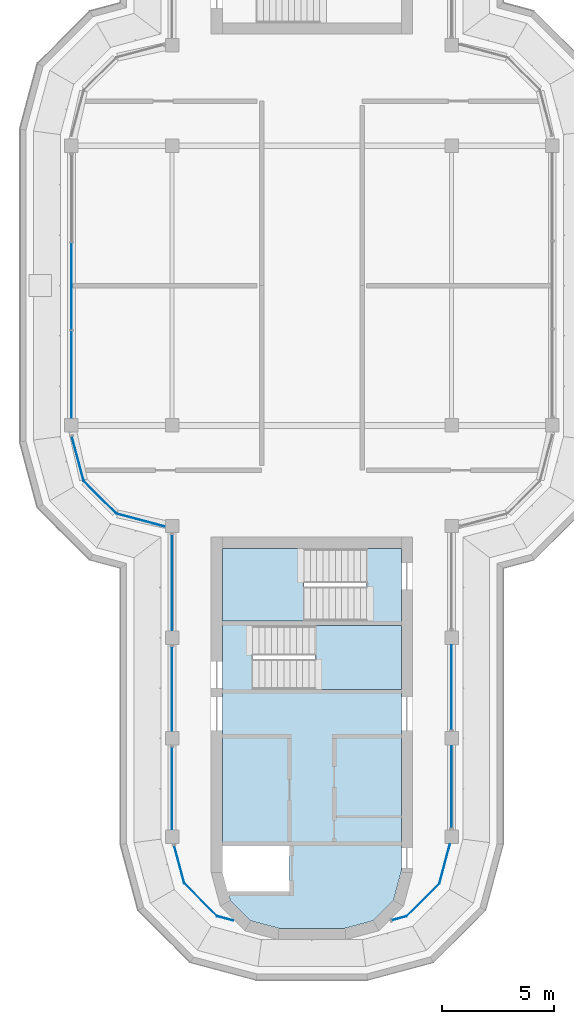
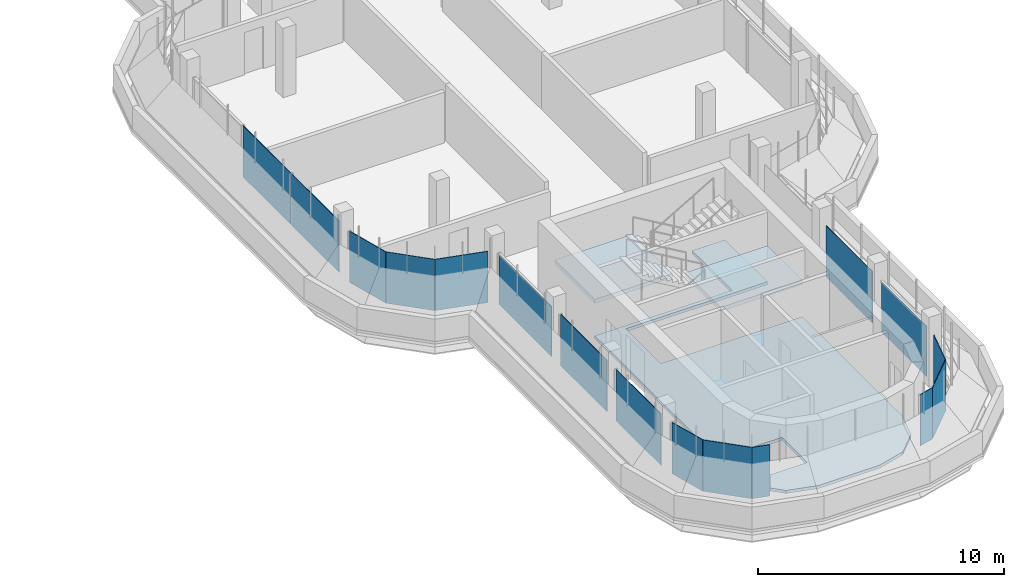
# One storey, part 5 of 13: 16 plates, 3 slabs, 14 elements without a shape of their own.
"""IFC4 building model written with IfcOpenShell, lengths in metres."""

from ifc_helpers import new_model, si_unit, direction, frame, origin, place, context, subcontext, project, spatial, polyline, outline, extrude, source, transform, mapped, material, layer, layer_set, type_object, element, aggregate, save


model = new_model("IFC4")

# Units and contexts
model_context = context("Model", 3, precision=1e-05, world=origin(), true_north=direction((0.0, 1.0)))
body_context = subcontext(model_context, "Body", "Model", "MODEL_VIEW")
ifc_project = project(units=[si_unit("LENGTHUNIT", "METRE"), si_unit("AREAUNIT", "SQUARE_METRE"), si_unit("VOLUMEUNIT", "CUBIC_METRE"), si_unit("PLANEANGLEUNIT", "RADIAN"), si_unit("MASSUNIT", "GRAM", prefix="KILO")], contexts=[model_context])

# Site, building, storey
site_placement = place(None, origin())
site = spatial("IfcSite", under=ifc_project, at=site_placement, CompositionType="ELEMENT")
building_placement = place(site_placement, origin())
building = spatial("IfcBuilding", under=site, at=building_placement, Name="Zarbagh Exchange Tower", CompositionType="ELEMENT")
storey_placement = place(building_placement, frame((0.0, 0.0, 302.39990234375)))
storey = spatial("IfcBuildingStorey", under=building, at=storey_placement, Name="L74", CompositionType="ELEMENT", Elevation=302.39990234375)

# Slab
ifc_material_1 = material(Name="Concrete C40/50", Category="concrete")
ifc_layer_1 = layer(ifc_material_1, 0.14990234375)
ifc_layer_set_1 = layer_set([ifc_layer_1], Name="Core floor slab 150 C40/50")
slab_type_1 = type_object("IfcSlabType", Name="Core floor slab 150 C40/50", PredefinedType="FLOOR", material=ifc_layer_set_1)
slab_1_placement = place(storey_placement, frame((0.0, 0.0, -0.14990234375)))
element("IfcSlab", 1, at=slab_1_placement, inside=storey, type_object=slab_type_1, Name="S17 core S", PredefinedType="FLOOR", context=body_context, shape_type="SweptSolid", body=[
    extrude(outline(polyline([(-2.7412109375, -28.39990234375), (-3.64990234375, -27.4912109375), (-3.857666015625, -26.715087890625), (-3.754638671875, -27.10009765625), (-1.0, -27.10009765625), (-1.0, -25.050048828125), (-4.0, -25.050048828125), (-4.0, -15.0), (2.449951171875, -15.0), (2.449951171875, -11.75), (4.0, -11.75), (4.0, -15.199951171875), (-2.64990234375, -15.199951171875), (-2.64990234375, -18.050048828125), (4.0, -18.050048828125), (4.0, -26.18408203125), (3.64990234375, -27.4912109375), (2.7412109375, -28.39990234375), (1.43408203125, -28.75), (-1.43408203125, -28.75), (-2.7412109375, -28.39990234375)])), origin(), (0.0, 0.0, 1.0), 0.14990234375),
])

# Stair, slab
stair_type = type_object("IfcStairType", Name="Exit stair two-flight half-turn", PredefinedType="HALF_TURN_STAIR", material=ifc_material_1)
stair_1_placement = place(storey_placement, origin())
stair_1 = element("IfcStair", 2, at=stair_1_placement, inside=storey, type_object=stair_type, Name="exit stair ST3", PredefinedType="HALF_TURN_STAIR")
ifc_layer_2 = layer(ifc_material_1, 0.199951171875)
ifc_layer_set_2 = layer_set([ifc_layer_2], Name="Stair landing 200 mm")
slab_type_2 = type_object("IfcSlabType", Name="Stair landing 200 mm", PredefinedType="LANDING", material=ifc_layer_set_2)
slab_2_placement = place(storey_placement, frame((0.0, 0.0, 1.60009765625)))
slab_2 = element("IfcSlab", 3, at=slab_2_placement, type_object=slab_type_2, Name="ST3 landing 1", PredefinedType="LANDING", context=body_context, shape_type="SweptSolid", body=[
    extrude(outline(polyline([(0.14990234375, -18.050048828125), (4.0, -18.050048828125), (4.0, -15.199951171875), (0.14990234375, -15.199951171875), (0.14990234375, -18.050048828125)])), origin(), (0.0, 0.0, 1.0), 0.199951171875),
])
aggregate(stair_1, [slab_2])

stair_2_placement = place(storey_placement, origin())
stair_2 = element("IfcStair", 4, at=stair_2_placement, inside=storey, type_object=stair_type, Name="exit stair ST4", PredefinedType="HALF_TURN_STAIR")
slab_3_placement = place(storey_placement, frame((0.0, 0.0, 1.60009765625)))
slab_3 = element("IfcSlab", 5, at=slab_3_placement, type_object=slab_type_2, Name="ST4 landing 1", PredefinedType="LANDING", context=body_context, shape_type="SweptSolid", body=[
    extrude(outline(polyline([(-0.35009765625, -11.75), (-4.0, -11.75), (-4.0, -15.0), (-0.35009765625, -15.0), (-0.35009765625, -11.75)])), origin(), (0.0, 0.0, 1.0), 0.199951171875),
])
aggregate(stair_2, [slab_3])

# Curtain wall, plate
ifc_material_2 = material(Name="Anodised aluminium frame and glazing", Category="aluminium")
curtain_wall_type = type_object("IfcCurtainWallType", Name="CWF Crown tier glazing", PredefinedType="NOTDEFINED", material=ifc_material_2)
curtain_wall_1_placement = place(storey_placement, origin())
curtain_wall_1 = element("IfcCurtainWall", 6, at=curtain_wall_1_placement, inside=storey, type_object=curtain_wall_type, Name="CWF01 curtain wall", PredefinedType="NOTDEFINED")
ifc_material_3 = material(Name="Low-e double glazed unit, 6+12+6 mm")
ifc_layer_3 = layer(ifc_material_3, 0.028076171875)
ifc_layer_set_3 = layer_set([ifc_layer_3], Name="PAF Glazing panel, Low-e double glazed unit, 6+12+6 mm")
plate_type = type_object("IfcPlateType", Name="PAF Glazing panel, Low-e double glazed unit, 6+12+6 mm", PredefinedType="CURTAIN_PANEL", material=ifc_layer_set_3)
shared_shape_1 = source(origin(), body_context, "Body", "SweptSolid", [
    extrude(outline(polyline([(0.0, -0.013916015625), (0.697021484375, -0.013916015625), (0.697021484375, 0.013916015625), (0.0, 0.013916015625), (0.0, -0.013916015625)])), origin(), (0.0, 0.0, 1.0), 2.550048828125),
])
placement = place(storey_placement, origin())
plate_1 = element("IfcPlate", 7, at=placement, type_object=plate_type, Name="CWF01 glazing panel 1.1", PredefinedType="CURTAIN_PANEL", context=body_context, shape_type="MappedRepresentation", body=[
    mapped(shared_shape_1, transform((3.56787109375, -28.379150390625, 0.0), x_axis=(0.965924289636, 0.258824779902, 0.0), y_axis=(-0.258824779902, 0.965924289636, 0.0), z_axis=(0.0, 0.0, 1.0))),
])
aggregate(curtain_wall_1, [plate_1])

curtain_wall_2_placement = place(storey_placement, origin())
curtain_wall_2 = element("IfcCurtainWall", 8, at=curtain_wall_2_placement, inside=storey, type_object=curtain_wall_type, Name="CWF02 curtain wall", PredefinedType="NOTDEFINED")
shared_shape_2 = source(origin(), body_context, "Body", "SweptSolid", [
    extrude(outline(polyline([(0.0, -0.013916015625), (2.061279296875, -0.013916015625), (2.061279296875, 0.013916015625), (0.0, 0.013916015625), (0.0, -0.013916015625)])), origin(), (0.0, 0.0, 1.0), 2.550048828125),
])
plate_2 = element("IfcPlate", 9, at=placement, type_object=plate_type, Name="CWF02 glazing panel 1.1", PredefinedType="CURTAIN_PANEL", context=body_context, shape_type="MappedRepresentation", body=[
    mapped(shared_shape_2, transform((4.2412109375, -28.19873046875, 0.0), x_axis=(0.707106781187, 0.707106781187, 0.0), y_axis=(-0.707106781187, 0.707106781187, 0.0), z_axis=(0.0, 0.0, 1.0))),
])
aggregate(curtain_wall_2, [plate_2])

curtain_wall_3_placement = place(storey_placement, origin())
curtain_wall_3 = element("IfcCurtainWall", 10, at=curtain_wall_3_placement, inside=storey, type_object=curtain_wall_type, Name="CWF41 curtain wall", PredefinedType="NOTDEFINED")
plate_3 = element("IfcPlate", 11, at=placement, type_object=plate_type, Name="CWF41 glazing panel 1.1", PredefinedType="CURTAIN_PANEL", context=body_context, shape_type="MappedRepresentation", body=[
    mapped(shared_shape_2, transform((-10.19873046875, -8.7412109375, 0.0), x_axis=(0.707106781187, -0.707106781187, 0.0), y_axis=(0.707106781187, 0.707106781187, 0.0), z_axis=(0.0, 0.0, 1.0))),
])
aggregate(curtain_wall_3, [plate_3])

curtain_wall_4_placement = place(storey_placement, origin())
curtain_wall_4 = element("IfcCurtainWall", 12, at=curtain_wall_4_placement, inside=storey, type_object=curtain_wall_type, Name="CWF45 curtain wall", PredefinedType="NOTDEFINED")
plate_4 = element("IfcPlate", 13, at=placement, type_object=plate_type, Name="CWF45 glazing panel 1.1", PredefinedType="CURTAIN_PANEL", context=body_context, shape_type="MappedRepresentation", body=[
    mapped(shared_shape_2, transform((-5.69873046875, -26.7412109375, 0.0), x_axis=(0.707106781187, -0.707106781187, 0.0), y_axis=(0.707106781187, 0.707106781187, 0.0), z_axis=(0.0, 0.0, 1.0))),
])
aggregate(curtain_wall_4, [plate_4])

curtain_wall_5_placement = place(storey_placement, origin())
curtain_wall_5 = element("IfcCurtainWall", 14, at=curtain_wall_5_placement, inside=storey, type_object=curtain_wall_type, Name="CWF03 curtain wall", PredefinedType="NOTDEFINED")
shared_shape_3 = source(origin(), body_context, "Body", "SweptSolid", [
    extrude(outline(polyline([(0.0, -0.013916015625), (1.81298828125, -0.013916015625), (1.81298828125, 0.013916015625), (0.0, 0.013916015625), (0.0, -0.013916015625)])), origin(), (0.0, 0.0, 1.0), 2.550048828125),
])
plate_5 = element("IfcPlate", 15, at=placement, type_object=plate_type, Name="CWF03 glazing panel 1.1", PredefinedType="CURTAIN_PANEL", context=body_context, shape_type="MappedRepresentation", body=[
    mapped(shared_shape_3, transform((5.69873046875, -26.7412109375, 0.0), x_axis=(0.258824779902, 0.965924289636, 0.0), y_axis=(-0.965924289636, 0.258824779902, 0.0), z_axis=(0.0, 0.0, 1.0))),
])
aggregate(curtain_wall_5, [plate_5])

# Curtain wall, plates
curtain_wall_6_placement = place(storey_placement, origin())
curtain_wall_6 = element("IfcCurtainWall", 16, at=curtain_wall_6_placement, inside=storey, type_object=curtain_wall_type, Name="CWF04 curtain wall", PredefinedType="NOTDEFINED")
shared_shape_4 = source(origin(), body_context, "Body", "SweptSolid", [
    extrude(outline(polyline([(0.0, -0.013916015625), (3.659912109375, -0.013916015625), (3.659912109375, 0.013916015625), (0.0, 0.013916015625), (0.0, -0.013916015625)])), origin(), (0.0, 0.0, 1.0), 2.489990234375),
])
plate_6 = element("IfcPlate", 17, at=placement, type_object=plate_type, Name="CWF04 glazing panel 1.1", PredefinedType="CURTAIN_PANEL", context=body_context, shape_type="MappedRepresentation", body=[
    mapped(shared_shape_4, transform((6.25, -24.25, 0.0), x_axis=(0.0, 1.0, 0.0), y_axis=(-1.0, 0.0, 0.0), z_axis=(0.0, 0.0, 1.0))),
])
shared_shape_5 = source(origin(), body_context, "Body", "SweptSolid", [
    extrude(outline(polyline([(0.0, -0.013916015625), (3.760009765625, -0.013916015625), (3.760009765625, 0.013916015625), (0.0, 0.013916015625), (0.0, -0.013916015625)])), origin(), (0.0, 0.0, 1.0), 2.550048828125),
])
plate_7 = element("IfcPlate", 18, at=placement, type_object=plate_type, Name="CWF04 glazing panel 2.1", PredefinedType="CURTAIN_PANEL", context=body_context, shape_type="MappedRepresentation", body=[
    mapped(shared_shape_5, transform((6.25, -19.849853515625, 0.0), x_axis=(0.0, 1.0, 0.0), y_axis=(-1.0, 0.0, 0.0), z_axis=(0.0, 0.0, 1.0))),
])
aggregate(curtain_wall_6, [plate_6, plate_7])

# Curtain wall, plate
curtain_wall_7_placement = place(storey_placement, origin())
curtain_wall_7 = element("IfcCurtainWall", 19, at=curtain_wall_7_placement, inside=storey, type_object=curtain_wall_type, Name="CWF43 curtain wall", PredefinedType="NOTDEFINED")
plate_8 = element("IfcPlate", 20, at=placement, type_object=plate_type, Name="CWF43 glazing panel 2.1", PredefinedType="CURTAIN_PANEL", context=body_context, shape_type="MappedRepresentation", body=[
    mapped(shared_shape_5, transform((-6.25, -16.150146484375, 0.0), x_axis=(0.0, -1.0, 0.0), y_axis=(1.0, 0.0, 0.0), z_axis=(0.0, 0.0, 1.0))),
])

curtain_wall_8_placement = place(storey_placement, origin())
curtain_wall_8 = element("IfcCurtainWall", 21, at=curtain_wall_8_placement, inside=storey, type_object=curtain_wall_type, Name="CWF42 curtain wall", PredefinedType="NOTDEFINED")
shared_shape_6 = source(origin(), body_context, "Body", "SweptSolid", [
    extrude(outline(polyline([(0.0, -0.013916015625), (2.22705078125, -0.013916015625), (2.22705078125, 0.013916015625), (0.0, 0.013916015625), (0.0, -0.013916015625)])), origin(), (0.0, 0.0, 1.0), 2.550048828125),
])
plate_9 = element("IfcPlate", 22, at=placement, type_object=plate_type, Name="CWF42 glazing panel 1.1", PredefinedType="CURTAIN_PANEL", context=body_context, shape_type="MappedRepresentation", body=[
    mapped(shared_shape_6, transform((-8.7412109375, -10.19873046875, 0.0), x_axis=(0.965924289636, -0.258824779902, 0.0), y_axis=(0.258824779902, 0.965924289636, 0.0), z_axis=(0.0, 0.0, 1.0))),
])
aggregate(curtain_wall_8, [plate_9])

# Plate
shared_shape_7 = source(origin(), body_context, "Body", "SweptSolid", [
    extrude(outline(polyline([(0.0, -0.013916015625), (4.260009765625, -0.013916015625), (4.260009765625, 0.013916015625), (0.0, 0.013916015625), (0.0, -0.013916015625)])), origin(), (0.0, 0.0, 1.0), 2.489990234375),
])
plate_10 = element("IfcPlate", 23, at=placement, type_object=plate_type, Name="CWF43 glazing panel 1.1", PredefinedType="CURTAIN_PANEL", context=body_context, shape_type="MappedRepresentation", body=[
    mapped(shared_shape_7, transform((-6.25, -11.150146484375, 0.0), x_axis=(0.0, -1.0, 0.0), y_axis=(1.0, 0.0, 0.0), z_axis=(0.0, 0.0, 1.0))),
])

# Curtain wall, plate
curtain_wall_9_placement = place(storey_placement, origin())
curtain_wall_9 = element("IfcCurtainWall", 24, at=curtain_wall_9_placement, inside=storey, type_object=curtain_wall_type, Name="CWF40 curtain wall", PredefinedType="NOTDEFINED")
shared_shape_8 = source(origin(), body_context, "Body", "SweptSolid", [
    extrude(outline(polyline([(0.0, -0.013916015625), (2.069580078125, -0.013916015625), (2.069580078125, 0.013916015625), (0.0, 0.013916015625), (0.0, -0.013916015625)])), origin(), (0.0, 0.0, 1.0), 2.550048828125),
])
plate_11 = element("IfcPlate", 25, at=placement, type_object=plate_type, Name="CWF40 glazing panel 1.1", PredefinedType="CURTAIN_PANEL", context=body_context, shape_type="MappedRepresentation", body=[
    mapped(shared_shape_8, transform((-10.734375, -6.7421875, 0.0), x_axis=(0.258824779902, -0.965924289636, 0.0), y_axis=(0.965924289636, 0.258824779902, 0.0), z_axis=(0.0, 0.0, 1.0))),
])
aggregate(curtain_wall_9, [plate_11])

# Plate
shared_shape_9 = source(origin(), body_context, "Body", "SweptSolid", [
    extrude(outline(polyline([(0.0, -0.013916015625), (3.659912109375, -0.013916015625), (3.659912109375, 0.013916015625), (0.0, 0.013916015625), (0.0, -0.013916015625)])), origin(), (0.0, 0.0, 1.0), 2.550048828125),
])
plate_12 = element("IfcPlate", 26, at=placement, type_object=plate_type, Name="CWF43 glazing panel 3.1", PredefinedType="CURTAIN_PANEL", context=body_context, shape_type="MappedRepresentation", body=[
    mapped(shared_shape_9, transform((-6.25, -20.650146484375, 0.0), x_axis=(0.0, -1.0, 0.0), y_axis=(1.0, 0.0, 0.0), z_axis=(0.0, 0.0, 1.0))),
])

aggregate(curtain_wall_7, [plate_10, plate_8, plate_12])

# Curtain wall, plate
curtain_wall_10_placement = place(storey_placement, origin())
curtain_wall_10 = element("IfcCurtainWall", 27, at=curtain_wall_10_placement, inside=storey, type_object=curtain_wall_type, Name="CWF44 curtain wall", PredefinedType="NOTDEFINED")
shared_shape_10 = source(origin(), body_context, "Body", "SweptSolid", [
    extrude(outline(polyline([(0.0, -0.013916015625), (1.7529296875, -0.013916015625), (1.7529296875, 0.013916015625), (0.0, 0.013916015625), (0.0, -0.013916015625)])), origin(), (0.0, 0.0, 1.0), 2.550048828125),
])
plate_13 = element("IfcPlate", 28, at=placement, type_object=plate_type, Name="CWF44 glazing panel 1.1", PredefinedType="CURTAIN_PANEL", context=body_context, shape_type="MappedRepresentation", body=[
    mapped(shared_shape_10, transform((-6.152587890625, -25.0478515625, 0.0), x_axis=(0.258824779902, -0.965924289636, 0.0), y_axis=(0.965924289636, 0.258824779902, 0.0), z_axis=(0.0, 0.0, 1.0))),
])
aggregate(curtain_wall_10, [plate_13])

curtain_wall_11_placement = place(storey_placement, origin())
curtain_wall_11 = element("IfcCurtainWall", 29, at=curtain_wall_11_placement, inside=storey, type_object=curtain_wall_type, Name="CWF46 curtain wall", PredefinedType="NOTDEFINED")
shared_shape_11 = source(origin(), body_context, "Body", "SweptSolid", [
    extrude(outline(polyline([(0.0, -0.013916015625), (0.757080078125, -0.013916015625), (0.757080078125, 0.013916015625), (0.0, 0.013916015625), (0.0, -0.013916015625)])), origin(), (0.0, 0.0, 1.0), 2.550048828125),
])
plate_14 = element("IfcPlate", 30, at=placement, type_object=plate_type, Name="CWF46 glazing panel 1.1", PredefinedType="CURTAIN_PANEL", context=body_context, shape_type="MappedRepresentation", body=[
    mapped(shared_shape_11, transform((-4.2412109375, -28.19873046875, 0.0), x_axis=(0.965924289636, -0.258824779902, 0.0), y_axis=(0.258824779902, 0.965924289636, 0.0), z_axis=(0.0, 0.0, 1.0))),
])
aggregate(curtain_wall_11, [plate_14])

# Curtain wall, plates
curtain_wall_12_placement = place(storey_placement, origin())
curtain_wall_12 = element("IfcCurtainWall", 31, at=curtain_wall_12_placement, inside=storey, type_object=curtain_wall_type, Name="CWF48 curtain wall", PredefinedType="NOTDEFINED")
shared_shape_12 = source(origin(), body_context, "Body", "SweptSolid", [
    extrude(outline(polyline([(0.0, -0.013916015625), (3.8798828125, -0.013916015625), (3.8798828125, 0.013916015625), (0.0, 0.013916015625), (0.0, -0.013916015625)])), origin(), (0.0, 0.0, 1.0), 2.550048828125),
])
plate_15 = element("IfcPlate", 32, at=placement, type_object=plate_type, Name="CWF48 glazing panel 1.2", PredefinedType="CURTAIN_PANEL", context=body_context, shape_type="MappedRepresentation", body=[
    mapped(shared_shape_12, transform((-10.75, 1.909912109375, 0.0), x_axis=(0.0, -1.0, 0.0), y_axis=(1.0, 0.0, 0.0), z_axis=(0.0, 0.0, 1.0))),
])
plate_16 = element("IfcPlate", 33, at=placement, type_object=plate_type, Name="CWF48 glazing panel 1.3", PredefinedType="CURTAIN_PANEL", context=body_context, shape_type="MappedRepresentation", body=[
    mapped(shared_shape_12, transform((-10.75, -2.030029296875, 0.0), x_axis=(0.0, -1.0, 0.0), y_axis=(1.0, 0.0, 0.0), z_axis=(0.0, 0.0, 1.0))),
])
aggregate(curtain_wall_12, [plate_15, plate_16])

save(model, "model.ifc")
